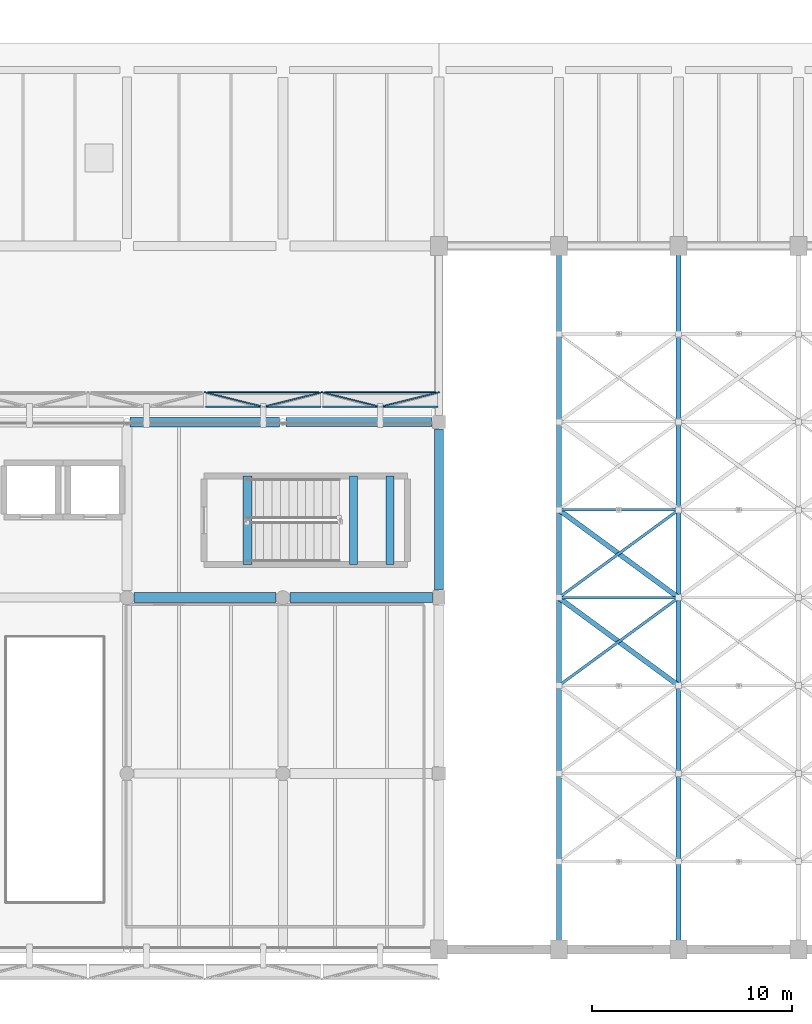
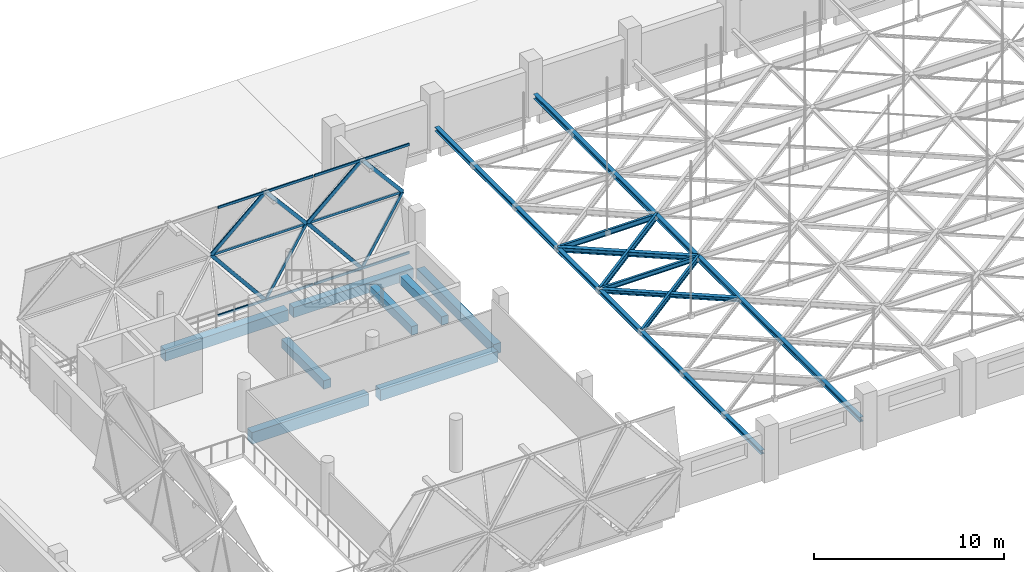
# One storey, part 26 of 93: 18 members, 12 beams, 2 elements without a shape of their own.
"""IFC4 building model written with IfcOpenShell, lengths in metres."""

from ifc_helpers import new_model, si_unit, direction, frame, origin, origin_2d, place, context, subcontext, project, spatial, rectangle, hollow_rectangle, i_section, extrude, material, material_profile, profile_set, type_object, element, aggregate, save


model = new_model("IFC4")

# Units and contexts
model_context = context("Model", 3, precision=1e-05, world=origin(), true_north=direction((0.0, 1.0)))
body_context = subcontext(model_context, "Body", "Model", "MODEL_VIEW")
ifc_project = project(units=[si_unit("LENGTHUNIT", "METRE"), si_unit("AREAUNIT", "SQUARE_METRE"), si_unit("VOLUMEUNIT", "CUBIC_METRE"), si_unit("PLANEANGLEUNIT", "RADIAN"), si_unit("MASSUNIT", "GRAM", prefix="KILO")], contexts=[model_context])

# Site, building, storey
site_placement = place(None, origin())
site = spatial("IfcSite", under=ifc_project, at=site_placement, CompositionType="ELEMENT")
building_placement = place(site_placement, origin())
building = spatial("IfcBuilding", under=site, at=building_placement, Name="Varnakota Cinema and Media Centre", CompositionType="ELEMENT")
storey_placement = place(building_placement, frame((0.0, 0.0, 12.0)))
storey = spatial("IfcBuildingStorey", under=building, at=storey_placement, Name="L03", CompositionType="ELEMENT", Elevation=12.0)

# Beams
ifc_material_1 = material(Name="Concrete M35", Category="concrete")
ifc_material_profile_1 = material_profile(ifc_material_1, rectangle(XDim=0.39990234375, YDim=0.550048828125, at=origin_2d()), Name="RCB 400x550")
ifc_profile_set_1 = profile_set([ifc_material_profile_1], Name="Concrete M35")
beam_type_1 = type_object("IfcBeamType", Name="BM-RC-400x550", PredefinedType="BEAM", material=ifc_profile_set_1)
for number, where, z_axis, x_axis, name in (
    (1, (70.7373046875, 19.25, 1.324951171875), (0.0, 1.0, 0.0), (-1.0, 0.0, 0.0), "L03 ST-04 landing support beam 1"),
    (2, (72.562744140625, 19.25, 1.324951171875), (0.0, 1.0, 0.0), (-1.0, 0.0, 0.0), "L03 ST-04 landing support beam 2"),
):
    element("IfcBeam", number, at=place(storey_placement, frame(where, z_axis=z_axis, x_axis=x_axis)), inside=storey, type_object=beam_type_1, Name=name, PredefinedType="BEAM", context=body_context, shape_type="SweptSolid", body=[
        extrude(rectangle(XDim=0.39990234375, YDim=0.550048828125, at=origin_2d()), origin(), (0.0, 0.0, 1.0), 4.449951171875),
    ])
ifc_material_2 = material(Name="Concrete M40", Category="concrete")
ifc_material_profile_2 = material_profile(ifc_material_2, rectangle(XDim=0.449951171875, YDim=0.550048828125, at=origin_2d()), Name="RCB 450x550")
ifc_profile_set_2 = profile_set([ifc_material_profile_2], Name="Concrete M40")
beam_type_2 = type_object("IfcBeamType", Name="BM-RC-450x550", PredefinedType="BEAM", material=ifc_profile_set_2)
beam_1_placement = place(storey_placement, frame((65.419921875, 19.25, -0.27490234375), z_axis=(0.0, 1.0, 0.0), x_axis=(-1.0, 0.0, 0.0)))
element("IfcBeam", 3, at=beam_1_placement, inside=storey, type_object=beam_type_2, Name="L03 ST-04 stair arrival trimmer beam", PredefinedType="BEAM", context=body_context, shape_type="SweptSolid", body=[
    extrude(rectangle(XDim=0.449951171875, YDim=0.550048828125, at=origin_2d()), origin(), (0.0, 0.0, 1.0), 4.449951171875),
])
ifc_material_3 = material(Name="Concrete M35", Category="concrete")
ifc_material_profile_3 = material_profile(ifc_material_3, rectangle(XDim=0.449951171875, YDim=0.64990234375, at=origin_2d()), Name="RCB 450x650")
ifc_profile_set_3 = profile_set([ifc_material_profile_3], Name="Concrete M35")
beam_type_3 = type_object("IfcBeamType", Name="BM-RC-450x650", PredefinedType="BEAM", material=ifc_profile_set_3)
beam_2_placement = place(storey_placement, frame((67.362060546875, 26.39990234375, -0.5849609375), z_axis=(1.0, 0.0, 0.0), x_axis=(0.0, 1.0, 0.0)))
element("IfcBeam", 4, at=beam_2_placement, inside=storey, type_object=beam_type_3, Name="L03 girder J-K/4", PredefinedType="BEAM", context=body_context, shape_type="SweptSolid", body=[
    extrude(rectangle(XDim=0.449951171875, YDim=0.64990234375, at=origin_2d()), origin(), (0.0, 0.0, 1.0), 7.287841796875),
])
beam_3_placement = place(storey_placement, frame((75.0, 17.97509765625, -0.5849609375), z_axis=(0.0, 1.0, 0.0), x_axis=(-1.0, 0.0, 0.0)))
element("IfcBeam", 5, at=beam_3_placement, inside=storey, type_object=beam_type_3, Name="L03 girder K/3-4", PredefinedType="BEAM", context=body_context, shape_type="SweptSolid", body=[
    extrude(rectangle(XDim=0.449951171875, YDim=0.64990234375, at=origin_2d()), origin(), (0.0, 0.0, 1.0), 8.074951171875),
])
ifc_material_4 = material(Name="Concrete M35", Category="concrete")
ifc_material_profile_4 = material_profile(ifc_material_4, rectangle(XDim=0.5, YDim=0.699951171875, at=origin_2d()), Name="RCB 500x700")
ifc_profile_set_4 = profile_set([ifc_material_profile_4], Name="Concrete M35")
beam_type_4 = type_object("IfcBeamType", Name="BM-RC-500x700", PredefinedType="BEAM", material=ifc_profile_set_4)
beam_4_placement = place(storey_placement, frame((67.550048828125, 17.60009765625, -0.610107421875), z_axis=(1.0, 0.0, 0.0), x_axis=(0.0, 1.0, 0.0)))
element("IfcBeam", 6, at=beam_4_placement, inside=storey, type_object=beam_type_4, Name="L03 girder J-K/3", PredefinedType="BEAM", context=body_context, shape_type="SweptSolid", body=[
    extrude(rectangle(XDim=0.5, YDim=0.699951171875, at=origin_2d()), origin(), (0.0, 0.0, 1.0), 7.125),
])
beam_5_placement = place(storey_placement, frame((59.56201171875, 26.39990234375, -0.610107421875), z_axis=(1.0, 0.0, 0.0), x_axis=(0.0, 1.0, 0.0)))
element("IfcBeam", 7, at=beam_5_placement, inside=storey, type_object=beam_type_4, Name="L03 girder H-J/4", PredefinedType="BEAM", context=body_context, shape_type="SweptSolid", body=[
    extrude(rectangle(XDim=0.5, YDim=0.699951171875, at=origin_2d()), origin(), (0.0, 0.0, 1.0), 7.47607421875),
])
ifc_material_5 = material(Name="Concrete M35", Category="concrete")
ifc_material_profile_5 = material_profile(ifc_material_5, rectangle(XDim=0.5, YDim=0.75, at=origin_2d()), Name="RCB 500x750")
ifc_profile_set_5 = profile_set([ifc_material_profile_5], Name="Concrete M35")
beam_type_5 = type_object("IfcBeamType", Name="BM-RC-500x750", PredefinedType="BEAM", material=ifc_profile_set_5)
beam_6_placement = place(storey_placement, frame((59.75, 17.60009765625, -0.635009765625), z_axis=(1.0, 0.0, 0.0), x_axis=(0.0, 1.0, 0.0)))
element("IfcBeam", 8, at=beam_6_placement, inside=storey, type_object=beam_type_5, Name="L03 girder H-J/3", PredefinedType="BEAM", context=body_context, shape_type="SweptSolid", body=[
    extrude(rectangle(XDim=0.5, YDim=0.75, at=origin_2d()), origin(), (0.0, 0.0, 1.0), 7.10009765625),
])
ifc_material_6 = material(Name="Structural steel Grade 350 (E350)", Category="steel")
ifc_material_profile_6 = material_profile(ifc_material_6, i_section(OverallWidth=0.25, OverallDepth=0.25, WebThickness=0.0087890625, FlangeThickness=0.009765625, FilletRadius=0.010009765625, at=origin_2d()), Name="ISHB 250")
ifc_profile_set_6 = profile_set([ifc_material_profile_6], Name="Structural steel Grade 350 (E350)")
beam_type_6 = type_object("IfcBeamType", Name="BM-ST-ISHB250", PredefinedType="BEAM", material=ifc_profile_set_6)
beam_7_placement = place(storey_placement, frame((81.0, 0.449951171875, 1.300048828125), z_axis=(0.0, 1.0, 0.0), x_axis=(-1.0, 0.0, 0.0)))
element("IfcBeam", 9, at=beam_7_placement, inside=storey, type_object=beam_type_6, Name="V1 acoustic rigging main beam 2", PredefinedType="BEAM", context=body_context, shape_type="SweptSolid", body=[
    extrude(i_section(OverallWidth=0.25, OverallDepth=0.25, WebThickness=0.0087890625, FlangeThickness=0.009765625, FilletRadius=0.010009765625, at=origin_2d()), origin(), (0.0, 0.0, 1.0), 34.300048828125),
])
ifc_material_7 = material(Name="Structural steel Grade 350 (E350)", Category="steel")
ifc_material_profile_7 = material_profile(ifc_material_7, i_section(OverallWidth=0.25, OverallDepth=0.300048828125, WebThickness=0.009521484375, FlangeThickness=0.010498046875, FilletRadius=0.010986328125, at=origin_2d()), Name="ISHB 300")
ifc_profile_set_7 = profile_set([ifc_material_profile_7], Name="Structural steel Grade 350 (E350)")
beam_type_7 = type_object("IfcBeamType", Name="BM-ST-ISHB300", PredefinedType="BEAM", material=ifc_profile_set_7)
beam_8_placement = place(storey_placement, frame((87.0, 0.449951171875, 1.300048828125), z_axis=(0.0, 1.0, 0.0), x_axis=(-1.0, 0.0, 0.0)))
element("IfcBeam", 10, at=beam_8_placement, inside=storey, type_object=beam_type_7, Name="V1 acoustic rigging main beam 3", PredefinedType="BEAM", context=body_context, shape_type="SweptSolid", body=[
    extrude(i_section(OverallWidth=0.25, OverallDepth=0.300048828125, WebThickness=0.009521484375, FlangeThickness=0.010498046875, FilletRadius=0.010986328125, at=origin_2d()), origin(), (0.0, 0.0, 1.0), 34.300048828125),
])
ifc_material_8 = material(Name="Structural steel Grade 350 (E350)", Category="steel")
ifc_material_profile_8 = material_profile(ifc_material_8, i_section(OverallWidth=0.139892578125, OverallDepth=0.300048828125, WebThickness=0.0078125, FlangeThickness=0.01318359375, FilletRadius=0.013916015625, at=origin_2d()), Name="ISMB 300")
ifc_profile_set_8 = profile_set([ifc_material_profile_8], Name="Structural steel Grade 350 (E350)")
beam_type_8 = type_object("IfcBeamType", Name="BM-ST-ISMB300", PredefinedType="JOIST", material=ifc_profile_set_8)
beam_9_placement = place(storey_placement, frame((81.139892578125, 17.60009765625, 1.300048828125), z_axis=(1.0, 0.0, 0.0), x_axis=(0.0, 1.0, 0.0)))
element("IfcBeam", 11, at=beam_9_placement, inside=storey, type_object=beam_type_8, Name="V1 rigging beam 2.4", PredefinedType="JOIST", context=body_context, shape_type="SweptSolid", body=[
    extrude(i_section(OverallWidth=0.139892578125, OverallDepth=0.300048828125, WebThickness=0.0078125, FlangeThickness=0.01318359375, FilletRadius=0.013916015625, at=origin_2d()), origin(), (0.0, 0.0, 1.0), 5.72021484375),
])
ifc_material_9 = material(Name="Structural steel Grade 350 (E350)", Category="steel")
ifc_material_profile_9 = material_profile(ifc_material_9, i_section(OverallWidth=0.139892578125, OverallDepth=0.35009765625, WebThickness=0.008056640625, FlangeThickness=0.01416015625, FilletRadius=0.013916015625, at=origin_2d()), Name="ISMB 350")
ifc_profile_set_9 = profile_set([ifc_material_profile_9], Name="Structural steel Grade 350 (E350)")
beam_type_9 = type_object("IfcBeamType", Name="BM-ST-ISMB350", PredefinedType="JOIST", material=ifc_profile_set_9)
beam_10_placement = place(storey_placement, frame((81.139892578125, 22.0, 1.300048828125), z_axis=(1.0, 0.0, 0.0), x_axis=(0.0, 1.0, 0.0)))
element("IfcBeam", 12, at=beam_10_placement, inside=storey, type_object=beam_type_9, Name="V1 rigging beam 2.5", PredefinedType="JOIST", context=body_context, shape_type="SweptSolid", body=[
    extrude(i_section(OverallWidth=0.139892578125, OverallDepth=0.35009765625, WebThickness=0.008056640625, FlangeThickness=0.01416015625, FilletRadius=0.013916015625, at=origin_2d()), origin(), (0.0, 0.0, 1.0), 5.72021484375),
])

# Curtain wall, members
ifc_material_10 = material(Name="Anodised golden-bronze aluminium AW-6063", Category="aluminium")
curtain_wall_type = type_object("IfcCurtainWallType", Name="CW-DMD-585x705", PredefinedType="USERDEFINED", material=ifc_material_10)
curtain_wall_1_placement = place(storey_placement, origin())
curtain_wall_1 = element("IfcCurtainWall", 13, at=curtain_wall_1_placement, inside=storey, type_object=curtain_wall_type, Name="L03 folded diamond foyer curtain wall CW-V6DMD-N-T2-D03", ObjectType="DIAMOND FOLDED CURTAIN WALL", PredefinedType="USERDEFINED")
ifc_material_11 = material(Name="Anodised golden-bronze aluminium AW-6063", Category="aluminium")
ifc_material_profile_10 = material_profile(ifc_material_11, hollow_rectangle(XDim=0.074951171875, YDim=0.219970703125, WallThickness=0.0048828125, InnerFilletRadius=0.0048828125, OuterFilletRadius=0.010009765625, at=origin_2d()), Name="AL-MULLION 220x75x5")
ifc_profile_set_10 = profile_set([ifc_material_profile_10], Name="Anodised golden-bronze aluminium AW-6063")
member_type_1 = type_object("IfcMemberType", Name="CWM-GOLD-220", PredefinedType="MULLION", material=ifc_profile_set_10)
member_1_placement = place(storey_placement, frame((66.22509765625, 27.14990234375, 0.050048828125), z_axis=(-0.630878157288, 0.156851995101, 0.759861962654), x_axis=(-0.241279412338, -0.970455689448, 0.0)))
member_1 = element("IfcMember", 14, at=member_1_placement, type_object=member_type_1, Name="CW-V6DMD-N-T2-D03 folded diamond mullion 1", PredefinedType="MULLION", context=body_context, shape_type="SweptSolid", body=[
    extrude(hollow_rectangle(XDim=0.074951171875, YDim=0.219970703125, WallThickness=0.0048828125, InnerFilletRadius=0.0048828125, OuterFilletRadius=0.010009765625, at=origin_2d()), origin(), (0.0, 0.0, 1.0), 4.572998046875),
])
member_2_placement = place(storey_placement, frame((66.22509765625, 27.14990234375, 0.050048828125), z_axis=(0.630878157288, 0.156851995101, 0.759861962654), x_axis=(-0.241279412338, 0.970455689448, 0.0)))
member_2 = element("IfcMember", 15, at=member_2_placement, type_object=member_type_1, Name="CW-V6DMD-N-T2-D03 folded diamond mullion 2", PredefinedType="MULLION", context=body_context, shape_type="SweptSolid", body=[
    extrude(hollow_rectangle(XDim=0.074951171875, YDim=0.219970703125, WallThickness=0.0048828125, InnerFilletRadius=0.0048828125, OuterFilletRadius=0.010009765625, at=origin_2d()), origin(), (0.0, 0.0, 1.0), 4.572998046875),
])
member_3_placement = place(storey_placement, frame((63.340087890625, 27.8671875, 3.52490234375), z_axis=(0.630852565109, -0.156845632249, 0.759884523293), x_axis=(0.241279412338, 0.970455689448, 0.0)))
member_3 = element("IfcMember", 16, at=member_3_placement, type_object=member_type_1, Name="CW-V6DMD-N-T2-D03 folded diamond mullion 3", PredefinedType="MULLION", context=body_context, shape_type="SweptSolid", body=[
    extrude(hollow_rectangle(XDim=0.074951171875, YDim=0.219970703125, WallThickness=0.0048828125, InnerFilletRadius=0.0048828125, OuterFilletRadius=0.010009765625, at=origin_2d()), origin(), (0.0, 0.0, 1.0), 4.5732421875),
])
member_4_placement = place(storey_placement, frame((69.110107421875, 27.8671875, 3.52490234375), z_axis=(-0.630852565109, -0.156845632249, 0.759884523293), x_axis=(0.241279412338, -0.970455689448, 0.0)))
member_4 = element("IfcMember", 17, at=member_4_placement, type_object=member_type_1, Name="CW-V6DMD-N-T2-D03 folded diamond mullion 4", PredefinedType="MULLION", context=body_context, shape_type="SweptSolid", body=[
    extrude(hollow_rectangle(XDim=0.074951171875, YDim=0.219970703125, WallThickness=0.0048828125, InnerFilletRadius=0.0048828125, OuterFilletRadius=0.010009765625, at=origin_2d()), origin(), (0.0, 0.0, 1.0), 4.5732421875),
])

curtain_wall_2_placement = place(storey_placement, origin())
curtain_wall_2 = element("IfcCurtainWall", 18, at=curtain_wall_2_placement, inside=storey, type_object=curtain_wall_type, Name="L03 folded diamond foyer curtain wall CW-V6DMD-N-T2-D04", ObjectType="DIAMOND FOLDED CURTAIN WALL", PredefinedType="USERDEFINED")
member_5_placement = place(storey_placement, frame((72.074951171875, 27.14990234375, 0.050048828125), z_axis=(-0.630878157288, 0.156851995101, 0.759861962654), x_axis=(-0.241279412338, -0.970455689448, 0.0)))
member_5 = element("IfcMember", 19, at=member_5_placement, type_object=member_type_1, Name="CW-V6DMD-N-T2-D04 folded diamond mullion 1", PredefinedType="MULLION", context=body_context, shape_type="SweptSolid", body=[
    extrude(hollow_rectangle(XDim=0.074951171875, YDim=0.219970703125, WallThickness=0.0048828125, InnerFilletRadius=0.0048828125, OuterFilletRadius=0.010009765625, at=origin_2d()), origin(), (0.0, 0.0, 1.0), 4.572998046875),
])
member_6_placement = place(storey_placement, frame((72.074951171875, 27.14990234375, 0.050048828125), z_axis=(0.630878157288, 0.156851995101, 0.759861962654), x_axis=(-0.241279412338, 0.970455689448, 0.0)))
member_6 = element("IfcMember", 20, at=member_6_placement, type_object=member_type_1, Name="CW-V6DMD-N-T2-D04 folded diamond mullion 2", PredefinedType="MULLION", context=body_context, shape_type="SweptSolid", body=[
    extrude(hollow_rectangle(XDim=0.074951171875, YDim=0.219970703125, WallThickness=0.0048828125, InnerFilletRadius=0.0048828125, OuterFilletRadius=0.010009765625, at=origin_2d()), origin(), (0.0, 0.0, 1.0), 4.572998046875),
])
member_7_placement = place(storey_placement, frame((69.18994140625, 27.8671875, 3.52490234375), z_axis=(0.630852565109, -0.156845632249, 0.759884523293), x_axis=(0.241279412338, 0.970455689448, 0.0)))
member_7 = element("IfcMember", 21, at=member_7_placement, type_object=member_type_1, Name="CW-V6DMD-N-T2-D04 folded diamond mullion 3", PredefinedType="MULLION", context=body_context, shape_type="SweptSolid", body=[
    extrude(hollow_rectangle(XDim=0.074951171875, YDim=0.219970703125, WallThickness=0.0048828125, InnerFilletRadius=0.0048828125, OuterFilletRadius=0.010009765625, at=origin_2d()), origin(), (0.0, 0.0, 1.0), 4.5732421875),
])
member_8_placement = place(storey_placement, frame((74.9599609375, 27.8671875, 3.52490234375), z_axis=(-0.630852565109, -0.156845632249, 0.759884523293), x_axis=(0.241279412338, -0.970455689448, 0.0)))
member_8 = element("IfcMember", 22, at=member_8_placement, type_object=member_type_1, Name="CW-V6DMD-N-T2-D04 folded diamond mullion 4", PredefinedType="MULLION", context=body_context, shape_type="SweptSolid", body=[
    extrude(hollow_rectangle(XDim=0.074951171875, YDim=0.219970703125, WallThickness=0.0048828125, InnerFilletRadius=0.0048828125, OuterFilletRadius=0.010009765625, at=origin_2d()), origin(), (0.0, 0.0, 1.0), 4.5732421875),
])

# Member
ifc_material_12 = material(Name="Anodised golden-bronze aluminium AW-6063", Category="aluminium")
ifc_material_profile_11 = material_profile(ifc_material_12, hollow_rectangle(XDim=0.074951171875, YDim=0.159912109375, WallThickness=0.00390625, InnerFilletRadius=0.00390625, OuterFilletRadius=0.008056640625, at=origin_2d()), Name="AL-TRANSOM 160x75x4")
ifc_profile_set_11 = profile_set([ifc_material_profile_11], Name="Anodised golden-bronze aluminium AW-6063")
member_type_2 = type_object("IfcMemberType", Name="CWT-GOLD-160", PredefinedType="USERDEFINED", material=ifc_profile_set_11)
member_9_placement = place(storey_placement, frame((63.340087890625, 27.14990234375, 0.050048828125), z_axis=(1.0, 0.0, 0.0), x_axis=(0.0, 1.0, 0.0)))
member_9 = element("IfcMember", 23, at=member_9_placement, type_object=member_type_2, Name="CW-V6DMD-N-T2-D03 folded diamond transom 1", ObjectType="TRANSOM", PredefinedType="USERDEFINED", context=body_context, shape_type="SweptSolid", body=[
    extrude(hollow_rectangle(XDim=0.074951171875, YDim=0.159912109375, WallThickness=0.00390625, InnerFilletRadius=0.00390625, OuterFilletRadius=0.008056640625, at=origin_2d()), origin(), (0.0, 0.0, 1.0), 5.77001953125),
])

member_10_placement = place(storey_placement, frame((63.43994140625, 27.8671875, 3.52490234375), z_axis=(1.0, 0.0, 0.0), x_axis=(0.0, 1.0, 0.0)))
member_10 = element("IfcMember", 24, at=member_10_placement, type_object=member_type_2, Name="CW-V6DMD-N-T2-D03 folded diamond transom 2", ObjectType="TRANSOM", PredefinedType="USERDEFINED", context=body_context, shape_type="SweptSolid", body=[
    extrude(hollow_rectangle(XDim=0.074951171875, YDim=0.159912109375, WallThickness=0.00390625, InnerFilletRadius=0.00390625, OuterFilletRadius=0.008056640625, at=origin_2d()), origin(), (0.0, 0.0, 1.0), 5.570068359375),
])

member_11_placement = place(storey_placement, frame((63.340087890625, 27.14990234375, 7.0), z_axis=(1.0, 0.0, 0.0), x_axis=(0.0, 1.0, 0.0)))
member_11 = element("IfcMember", 25, at=member_11_placement, type_object=member_type_2, Name="CW-V6DMD-N-T2-D03 folded diamond transom 3", ObjectType="TRANSOM", PredefinedType="USERDEFINED", context=body_context, shape_type="SweptSolid", body=[
    extrude(hollow_rectangle(XDim=0.074951171875, YDim=0.159912109375, WallThickness=0.00390625, InnerFilletRadius=0.00390625, OuterFilletRadius=0.008056640625, at=origin_2d()), origin(), (0.0, 0.0, 1.0), 5.77001953125),
])

aggregate(curtain_wall_1, [member_1, member_2, member_3, member_4, member_9, member_10, member_11])

member_12_placement = place(storey_placement, frame((69.18994140625, 27.14990234375, 0.050048828125), z_axis=(1.0, 0.0, 0.0), x_axis=(0.0, 1.0, 0.0)))
member_12 = element("IfcMember", 26, at=member_12_placement, type_object=member_type_2, Name="CW-V6DMD-N-T2-D04 folded diamond transom 1", ObjectType="TRANSOM", PredefinedType="USERDEFINED", context=body_context, shape_type="SweptSolid", body=[
    extrude(hollow_rectangle(XDim=0.074951171875, YDim=0.159912109375, WallThickness=0.00390625, InnerFilletRadius=0.00390625, OuterFilletRadius=0.008056640625, at=origin_2d()), origin(), (0.0, 0.0, 1.0), 5.77001953125),
])

member_13_placement = place(storey_placement, frame((69.2900390625, 27.8671875, 3.52490234375), z_axis=(1.0, 0.0, 0.0), x_axis=(0.0, 1.0, 0.0)))
member_13 = element("IfcMember", 27, at=member_13_placement, type_object=member_type_2, Name="CW-V6DMD-N-T2-D04 folded diamond transom 2", ObjectType="TRANSOM", PredefinedType="USERDEFINED", context=body_context, shape_type="SweptSolid", body=[
    extrude(hollow_rectangle(XDim=0.074951171875, YDim=0.159912109375, WallThickness=0.00390625, InnerFilletRadius=0.00390625, OuterFilletRadius=0.008056640625, at=origin_2d()), origin(), (0.0, 0.0, 1.0), 5.570068359375),
])

member_14_placement = place(storey_placement, frame((69.18994140625, 27.14990234375, 7.0), z_axis=(1.0, 0.0, 0.0), x_axis=(0.0, 1.0, 0.0)))
member_14 = element("IfcMember", 28, at=member_14_placement, type_object=member_type_2, Name="CW-V6DMD-N-T2-D04 folded diamond transom 3", ObjectType="TRANSOM", PredefinedType="USERDEFINED", context=body_context, shape_type="SweptSolid", body=[
    extrude(hollow_rectangle(XDim=0.074951171875, YDim=0.159912109375, WallThickness=0.00390625, InnerFilletRadius=0.00390625, OuterFilletRadius=0.008056640625, at=origin_2d()), origin(), (0.0, 0.0, 1.0), 5.77001953125),
])

aggregate(curtain_wall_2, [member_5, member_6, member_7, member_8, member_12, member_13, member_14])

# Members
ifc_material_13 = material(Name="Structural steel Grade 350 (E350)", Category="steel")
ifc_material_profile_12 = material_profile(ifc_material_13, i_section(OverallWidth=0.25, OverallDepth=0.25, WebThickness=0.0087890625, FlangeThickness=0.009765625, FilletRadius=0.010009765625, at=origin_2d()), Name="ISHB 250")
ifc_profile_set_12 = profile_set([ifc_material_profile_12], Name="Structural steel Grade 350 (E350)")
member_type_3 = type_object("IfcMemberType", Name="MEM-ST-ISHB250", PredefinedType="CHORD", material=ifc_profile_set_12)
member_15_placement = place(storey_placement, frame((87.0, 13.199951171875, 1.300048828125), z_axis=(-0.806395607258, 0.591376466048, 0.0), x_axis=(-0.591376466048, -0.806395607258, 0.0)))
element("IfcMember", 29, at=member_15_placement, inside=storey, type_object=member_type_3, Name="V1 rigging plan member B 2.3", PredefinedType="CHORD", context=body_context, shape_type="SweptSolid", body=[
    extrude(i_section(OverallWidth=0.25, OverallDepth=0.25, WebThickness=0.0087890625, FlangeThickness=0.009765625, FilletRadius=0.010009765625, at=origin_2d()), origin(), (0.0, 0.0, 1.0), 7.4404296875),
])
ifc_material_14 = material(Name="Structural steel Grade 350 (E350)", Category="steel")
ifc_material_profile_13 = material_profile(ifc_material_14, i_section(OverallWidth=0.25, OverallDepth=0.300048828125, WebThickness=0.009521484375, FlangeThickness=0.010498046875, FilletRadius=0.010986328125, at=origin_2d()), Name="ISHB 300")
ifc_profile_set_13 = profile_set([ifc_material_profile_13], Name="Structural steel Grade 350 (E350)")
member_type_4 = type_object("IfcMemberType", Name="MEM-ST-ISHB300", PredefinedType="CHORD", material=ifc_profile_set_13)
member_16_placement = place(storey_placement, frame((87.0, 17.60009765625, 1.300048828125), z_axis=(-0.80641125493, 0.591355128432, 0.0), x_axis=(-0.591355128432, -0.80641125493, 0.0)))
element("IfcMember", 30, at=member_16_placement, inside=storey, type_object=member_type_4, Name="V1 rigging plan member B 2.4", PredefinedType="CHORD", context=body_context, shape_type="SweptSolid", body=[
    extrude(i_section(OverallWidth=0.25, OverallDepth=0.300048828125, WebThickness=0.009521484375, FlangeThickness=0.010498046875, FilletRadius=0.010986328125, at=origin_2d()), origin(), (0.0, 0.0, 1.0), 7.4404296875),
])
ifc_material_15 = material(Name="Structural steel Grade 350 (E350)", Category="steel")
ifc_material_profile_14 = material_profile(ifc_material_15, i_section(OverallWidth=0.139892578125, OverallDepth=0.35009765625, WebThickness=0.008056640625, FlangeThickness=0.01416015625, FilletRadius=0.013916015625, at=origin_2d()), Name="ISMB 350")
ifc_profile_set_14 = profile_set([ifc_material_profile_14], Name="Structural steel Grade 350 (E350)")
member_type_5 = type_object("IfcMemberType", Name="MEM-ST-ISMB350", PredefinedType="RAFTER", material=ifc_profile_set_14)
member_17_placement = place(storey_placement, frame((81.0, 13.199951171875, 1.300048828125), z_axis=(0.806395607258, 0.591376466048, 0.0), x_axis=(-0.591376466048, 0.806395607258, 0.0)))
element("IfcMember", 31, at=member_17_placement, inside=storey, type_object=member_type_5, Name="V1 rigging plan member A 2.3", PredefinedType="RAFTER", context=body_context, shape_type="SweptSolid", body=[
    extrude(i_section(OverallWidth=0.139892578125, OverallDepth=0.35009765625, WebThickness=0.008056640625, FlangeThickness=0.01416015625, FilletRadius=0.013916015625, at=origin_2d()), origin(), (0.0, 0.0, 1.0), 7.4404296875),
])
ifc_material_16 = material(Name="Structural steel Grade 350 (E350)", Category="steel")
ifc_material_profile_15 = material_profile(ifc_material_16, i_section(OverallWidth=0.139892578125, OverallDepth=0.39990234375, WebThickness=0.0087890625, FlangeThickness=0.01611328125, FilletRadius=0.013916015625, at=origin_2d()), Name="ISMB 400")
ifc_profile_set_15 = profile_set([ifc_material_profile_15], Name="Structural steel Grade 350 (E350)")
member_type_6 = type_object("IfcMemberType", Name="MEM-ST-ISMB400", PredefinedType="RAFTER", material=ifc_profile_set_15)
member_18_placement = place(storey_placement, frame((81.0, 17.60009765625, 1.300048828125), z_axis=(0.80641125493, 0.591355128432, 0.0), x_axis=(-0.591355128432, 0.80641125493, 0.0)))
element("IfcMember", 32, at=member_18_placement, inside=storey, type_object=member_type_6, Name="V1 rigging plan member A 2.4", PredefinedType="RAFTER", context=body_context, shape_type="SweptSolid", body=[
    extrude(i_section(OverallWidth=0.139892578125, OverallDepth=0.39990234375, WebThickness=0.0087890625, FlangeThickness=0.01611328125, FilletRadius=0.013916015625, at=origin_2d()), origin(), (0.0, 0.0, 1.0), 7.4404296875),
])

save(model, "model.ifc")
